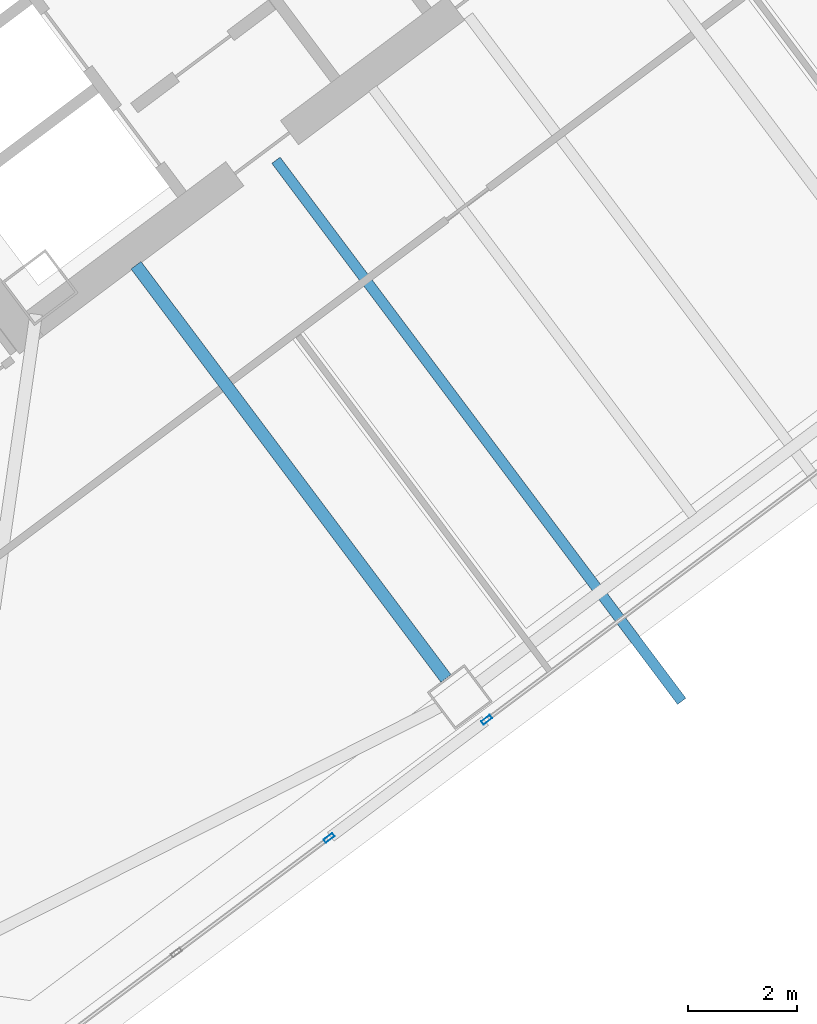
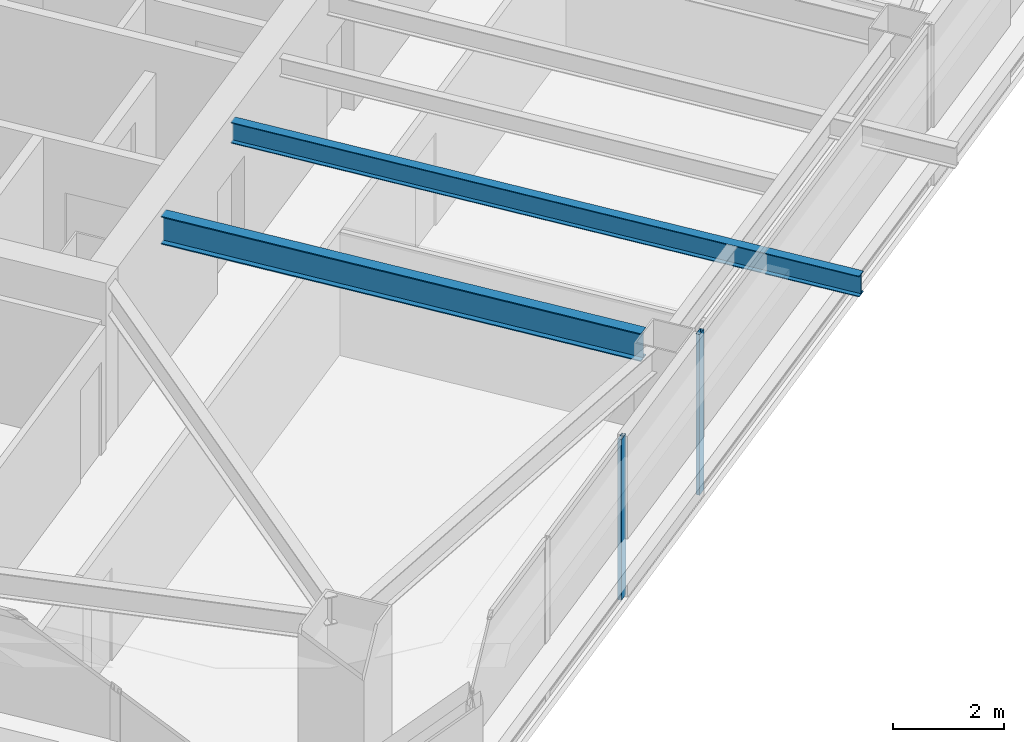
# One storey, part 23 of 46: 2 beams, 2 members, 2 elements without a shape of their own.
"""IFC4 building model written with IfcOpenShell, lengths in metres."""

from ifc_helpers import new_model, si_unit, direction, frame, origin, origin_2d, place, context, subcontext, project, spatial, hollow_rectangle, i_section, extrude, material, material_profile, profile_set, type_object, element, aggregate, save


model = new_model("IFC4")

# Units and contexts
model_context = context("Model", 3, precision=1e-05, world=origin(), true_north=direction((0.0, 1.0)))
body_context = subcontext(model_context, "Body", "Model", "MODEL_VIEW")
ifc_project = project(units=[si_unit("LENGTHUNIT", "METRE"), si_unit("AREAUNIT", "SQUARE_METRE"), si_unit("VOLUMEUNIT", "CUBIC_METRE"), si_unit("PLANEANGLEUNIT", "RADIAN"), si_unit("MASSUNIT", "GRAM", prefix="KILO")], contexts=[model_context])

# Site, building, storey
site_placement = place(None, origin())
site = spatial("IfcSite", under=ifc_project, at=site_placement, CompositionType="ELEMENT")
building_placement = place(site_placement, origin())
building = spatial("IfcBuilding", under=site, at=building_placement, Name="Tashvorn Skyway Center", CompositionType="ELEMENT")
storey_placement = place(building_placement, frame((0.0, 0.0, 132.14990234375)))
storey = spatial("IfcBuildingStorey", under=building, at=storey_placement, Name="L35", CompositionType="ELEMENT", Elevation=132.14990234375)

# Beams
ifc_material_1 = material(Name="Steel ASTM A992 Grade 50", Category="steel")
ifc_material_profile_1 = material_profile(ifc_material_1, i_section(OverallWidth=0.22998046875, OverallDepth=0.616943359375, WebThickness=0.01318359375, FlangeThickness=0.022216796875, at=origin_2d()), Name="W24X94")
ifc_profile_set_1 = profile_set([ifc_material_profile_1], Name="Steel ASTM A992 Grade 50")
beam_type_1 = type_object("IfcBeamType", Name="BM-BEAM-W24X94", PredefinedType="BEAM", material=ifc_profile_set_1)
beam_1_placement = place(storey_placement, frame((120.01806640625, 14.97607421875, 3.0615234375), z_axis=(-0.600020667896, 0.799984498661, 0.0), x_axis=(-0.799984498661, -0.600020667896, 0.0)))
element("IfcBeam", 1, at=beam_1_placement, inside=storey, type_object=beam_type_1, Name="Tower 2 L35 Primary Floor Girder FC-S1", PredefinedType="BEAM", context=body_context, shape_type="SweptSolid", body=[
    extrude(i_section(OverallWidth=0.22998046875, OverallDepth=0.616943359375, WebThickness=0.01318359375, FlangeThickness=0.022216796875, at=origin_2d()), origin(), (0.0, 0.0, 1.0), 9.449951171875),
])
ifc_material_profile_2 = material_profile(ifc_material_1, i_section(OverallWidth=0.19091796875, OverallDepth=0.4599609375, WebThickness=0.010009765625, FlangeThickness=0.01611328125, at=origin_2d()), Name="W18X55")
ifc_profile_set_2 = profile_set([ifc_material_profile_2], Name="Steel ASTM A992 Grade 50")
beam_type_2 = type_object("IfcBeamType", Name="BM-JOIST-W18X55", PredefinedType="JOIST", material=ifc_profile_set_2)
beam_2_placement = place(storey_placement, frame((116.907958984375, 24.4560546875, 3.14013671875), z_axis=(0.60000631563, -0.799995263239, 0.0), x_axis=(0.799995263239, 0.60000631563, 0.0)))
element("IfcBeam", 2, at=beam_2_placement, inside=storey, type_object=beam_type_2, Name="Tower 2 L36 Terrace Cantilever Outlooker 1", PredefinedType="JOIST", context=body_context, shape_type="SweptSolid", body=[
    extrude(i_section(OverallWidth=0.19091796875, OverallDepth=0.4599609375, WebThickness=0.010009765625, FlangeThickness=0.01611328125, at=origin_2d()), origin(), (0.0, 0.0, 1.0), 12.3701171875),
])

# Curtain wall, member
ifc_material_2 = material(Name="Thermally broken bronze-anodized aluminium 6063-T6", Category="aluminium")
curtain_wall_type = type_object("IfcCurtainWallType", Name="CW-CW-Z3", PredefinedType="NOTDEFINED", material=ifc_material_2)
curtain_wall_1_placement = place(storey_placement, origin())
curtain_wall_1 = element("IfcCurtainWall", 3, at=curtain_wall_1_placement, inside=storey, type_object=curtain_wall_type, Name="Tower 2 L35 South Unitised Curtain Wall Glazing Group 2", PredefinedType="NOTDEFINED")
ifc_material_profile_3 = material_profile(ifc_material_2, hollow_rectangle(XDim=0.074951171875, YDim=0.199951171875, WallThickness=0.00439453125, at=origin_2d()), Name="ALU-MULL-75x200")
ifc_profile_set_3 = profile_set([ifc_material_profile_3], Name="Thermally broken bronze-anodized aluminium 6063-T6")
member_type = type_object("IfcMemberType", Name="CWM-CW-Z3", PredefinedType="MULLION", material=ifc_profile_set_3)
member_1_placement = place(storey_placement, frame((120.76318359375, 14.222412109375, 0.0), z_axis=(0.0, 0.0, 1.0), x_axis=(0.599996977339, -0.800002266987, 0.0)))
member_1 = element("IfcMember", 4, at=member_1_placement, type_object=member_type, Name="CW-Z3 mullion 2", PredefinedType="MULLION", context=body_context, shape_type="SweptSolid", body=[
    extrude(hollow_rectangle(XDim=0.074951171875, YDim=0.199951171875, WallThickness=0.00439453125, at=origin_2d()), origin(), (0.0, 0.0, 1.0), 3.550048828125),
])
aggregate(curtain_wall_1, [member_1])

curtain_wall_2_placement = place(storey_placement, origin())
curtain_wall_2 = element("IfcCurtainWall", 5, at=curtain_wall_2_placement, inside=storey, type_object=curtain_wall_type, Name="Tower 2 L35 South Unitised Curtain Wall Glazing Group 3", PredefinedType="NOTDEFINED")
member_2_placement = place(storey_placement, frame((117.880126953125, 12.060302734375, 0.0), z_axis=(0.0, 0.0, 1.0), x_axis=(0.600004533995, -0.799996599484, 0.0)))
member_2 = element("IfcMember", 6, at=member_2_placement, type_object=member_type, Name="CW-Z3 mullion 1", PredefinedType="MULLION", context=body_context, shape_type="SweptSolid", body=[
    extrude(hollow_rectangle(XDim=0.074951171875, YDim=0.199951171875, WallThickness=0.00439453125, at=origin_2d()), origin(), (0.0, 0.0, 1.0), 3.550048828125),
])
aggregate(curtain_wall_2, [member_2])

save(model, "model.ifc")
